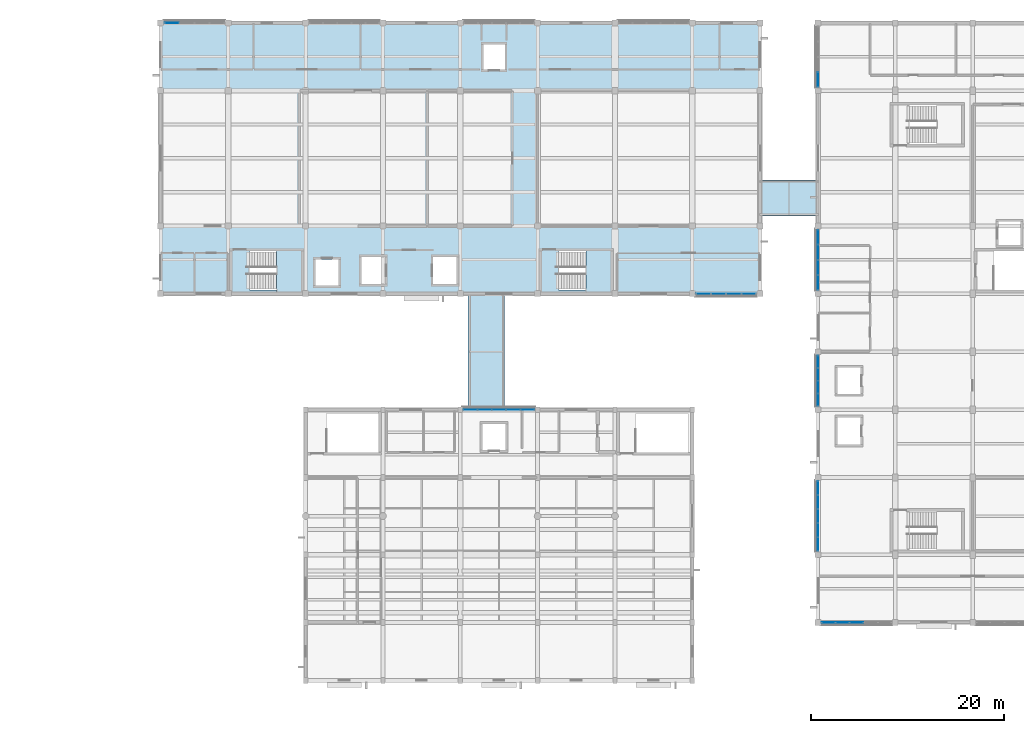
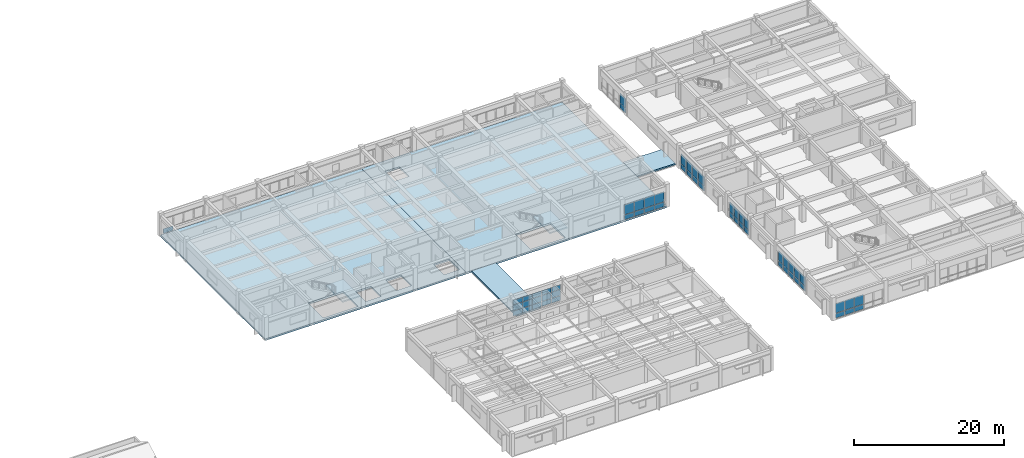
# One storey, part 17 of 33: 58 plates, 6 slabs, 10 elements without a shape of their own.
"""IFC4 building model written with IfcOpenShell, lengths in metres."""

from ifc_helpers import new_model, si_unit, direction, frame, origin, origin_2d, place, context, subcontext, project, spatial, polyline, rectangle, outline, extrude, material, layer, layer_set, type_object, element, aggregate, save


model = new_model("IFC4")

# Units and contexts
model_context = context("Model", 3, precision=1e-05, world=origin(), true_north=direction((0.0, 1.0)))
body_context = subcontext(model_context, "Body", "Model", "MODEL_VIEW")
ifc_project = project(units=[si_unit("LENGTHUNIT", "METRE"), si_unit("AREAUNIT", "SQUARE_METRE"), si_unit("VOLUMEUNIT", "CUBIC_METRE"), si_unit("PLANEANGLEUNIT", "RADIAN"), si_unit("MASSUNIT", "GRAM", prefix="KILO")], contexts=[model_context])

# Site, building, storey
site_placement = place(None, origin())
site = spatial("IfcSite", under=ifc_project, at=site_placement, CompositionType="ELEMENT")
building_placement = place(site_placement, origin())
building = spatial("IfcBuilding", under=site, at=building_placement, Name="Naurynzar Civic Courthouse", CompositionType="ELEMENT")
storey_placement = place(building_placement, frame((0.0, 0.0, 22.050048828125)))
storey = spatial("IfcBuildingStorey", under=building, at=storey_placement, Name="L06", CompositionType="ELEMENT", Elevation=22.050048828125)

# Curtain wall, plate
ifc_material_1 = material(Name="Aluminium 6063-T6", Category="aluminium")
ifc_layer_1 = layer(ifc_material_1, 0.179931640625)
ifc_layer_set_1 = layer_set([ifc_layer_1], Name="CW-UNIT-1500")
curtain_wall_type = type_object("IfcCurtainWallType", Name="CW-UNIT-1500", PredefinedType="NOTDEFINED", material=ifc_layer_set_1)
curtain_wall_1_placement = place(storey_placement, origin())
curtain_wall_1 = element("IfcCurtainWall", 1, at=curtain_wall_1_placement, inside=storey, type_object=curtain_wall_type, Name="V2 unitised curtain wall 43 L06", PredefinedType="NOTDEFINED")
ifc_material_2 = material(Name="Tempered Laminated Low-E Glass", Category="glass")
ifc_layer_2 = layer(ifc_material_2, 0.031982421875)
ifc_layer_set_2 = layer_set([ifc_layer_2], Name="CWP-IGU-32")
plate_type = type_object("IfcPlateType", Name="CWP-IGU-32", PredefinedType="CURTAIN_PANEL", material=ifc_layer_set_2)
plate_1_placement = place(storey_placement, frame((63.161865234375, 72.0, 0.06005859375), z_axis=(0.0, 0.0, 1.0), x_axis=(1.0, 0.0, 0.0)))
plate_1 = element("IfcPlate", 2, at=plate_1_placement, type_object=plate_type, Name="CW-01 panel 1.1", PredefinedType="CURTAIN_PANEL", context=body_context, shape_type="SweptSolid", body=[
    extrude(rectangle(XDim=1.478759765625, YDim=0.031982421875, at=origin_2d()), origin(), (0.0, 0.0, 1.0), 0.760009765625),
])
aggregate(curtain_wall_1, [plate_1])

# Curtain wall, plates
curtain_wall_2_placement = place(storey_placement, origin())
curtain_wall_2 = element("IfcCurtainWall", 3, at=curtain_wall_2_placement, inside=storey, type_object=curtain_wall_type, Name="V2 unitised curtain wall 47 L06", PredefinedType="NOTDEFINED")
plate_2_placement = place(storey_placement, frame((122.838134765625, 44.0, 0.06005859375), z_axis=(0.0, 0.0, 1.0), x_axis=(-1.0, 0.0, 0.0)))
plate_2 = element("IfcPlate", 4, at=plate_2_placement, type_object=plate_type, Name="CW-01 panel 1.1", PredefinedType="CURTAIN_PANEL", context=body_context, shape_type="SweptSolid", body=[
    extrude(rectangle(XDim=1.478759765625, YDim=0.031982421875, at=origin_2d()), origin(), (0.0, 0.0, 1.0), 0.760009765625),
])
plate_3_placement = place(storey_placement, frame((122.838134765625, 44.0, 0.8798828125), z_axis=(0.0, 0.0, 1.0), x_axis=(-1.0, 0.0, 0.0)))
plate_3 = element("IfcPlate", 5, at=plate_3_placement, type_object=plate_type, Name="CW-01 panel 1.2", PredefinedType="CURTAIN_PANEL", context=body_context, shape_type="SweptSolid", body=[
    extrude(rectangle(XDim=1.478759765625, YDim=0.031982421875, at=origin_2d()), origin(), (0.0, 0.0, 1.0), 1.6201171875),
])
plate_4_placement = place(storey_placement, frame((121.284423828125, 44.0, 0.06005859375), z_axis=(0.0, 0.0, 1.0), x_axis=(-1.0, 0.0, 0.0)))
plate_4 = element("IfcPlate", 6, at=plate_4_placement, type_object=plate_type, Name="CW-01 panel 2.1", PredefinedType="CURTAIN_PANEL", context=body_context, shape_type="SweptSolid", body=[
    extrude(rectangle(XDim=1.5087890625, YDim=0.031982421875, at=origin_2d()), origin(), (0.0, 0.0, 1.0), 0.760009765625),
])
plate_5_placement = place(storey_placement, frame((121.284423828125, 44.0, 0.8798828125), z_axis=(0.0, 0.0, 1.0), x_axis=(-1.0, 0.0, 0.0)))
plate_5 = element("IfcPlate", 7, at=plate_5_placement, type_object=plate_type, Name="CW-01 panel 2.2", PredefinedType="CURTAIN_PANEL", context=body_context, shape_type="SweptSolid", body=[
    extrude(rectangle(XDim=1.5087890625, YDim=0.031982421875, at=origin_2d()), origin(), (0.0, 0.0, 1.0), 1.6201171875),
])
plate_6_placement = place(storey_placement, frame((119.715576171875, 44.0, 0.06005859375), z_axis=(0.0, 0.0, 1.0), x_axis=(-1.0, 0.0, 0.0)))
plate_6 = element("IfcPlate", 8, at=plate_6_placement, type_object=plate_type, Name="CW-01 panel 3.1", PredefinedType="CURTAIN_PANEL", context=body_context, shape_type="SweptSolid", body=[
    extrude(rectangle(XDim=1.5087890625, YDim=0.031982421875, at=origin_2d()), origin(), (0.0, 0.0, 1.0), 0.760009765625),
])
plate_7_placement = place(storey_placement, frame((119.715576171875, 44.0, 0.8798828125), z_axis=(0.0, 0.0, 1.0), x_axis=(-1.0, 0.0, 0.0)))
plate_7 = element("IfcPlate", 9, at=plate_7_placement, type_object=plate_type, Name="CW-01 panel 3.2", PredefinedType="CURTAIN_PANEL", context=body_context, shape_type="SweptSolid", body=[
    extrude(rectangle(XDim=1.5087890625, YDim=0.031982421875, at=origin_2d()), origin(), (0.0, 0.0, 1.0), 1.6201171875),
])
plate_8_placement = place(storey_placement, frame((118.161865234375, 44.0, 0.06005859375), z_axis=(0.0, 0.0, 1.0), x_axis=(-1.0, 0.0, 0.0)))
plate_8 = element("IfcPlate", 10, at=plate_8_placement, type_object=plate_type, Name="CW-01 panel 4.1", PredefinedType="CURTAIN_PANEL", context=body_context, shape_type="SweptSolid", body=[
    extrude(rectangle(XDim=1.478759765625, YDim=0.031982421875, at=origin_2d()), origin(), (0.0, 0.0, 1.0), 0.760009765625),
])
plate_9_placement = place(storey_placement, frame((118.161865234375, 44.0, 0.8798828125), z_axis=(0.0, 0.0, 1.0), x_axis=(-1.0, 0.0, 0.0)))
plate_9 = element("IfcPlate", 11, at=plate_9_placement, type_object=plate_type, Name="CW-01 panel 4.2", PredefinedType="CURTAIN_PANEL", context=body_context, shape_type="SweptSolid", body=[
    extrude(rectangle(XDim=1.478759765625, YDim=0.031982421875, at=origin_2d()), origin(), (0.0, 0.0, 1.0), 1.6201171875),
])
aggregate(curtain_wall_2, [plate_2, plate_3, plate_4, plate_5, plate_6, plate_7, plate_8, plate_9])

curtain_wall_3_placement = place(storey_placement, origin())
curtain_wall_3 = element("IfcCurtainWall", 12, at=curtain_wall_3_placement, inside=storey, type_object=curtain_wall_type, Name="V3 unitised curtain wall 73 L06", PredefinedType="NOTDEFINED")
plate_10_placement = place(storey_placement, frame((94.034912109375, 32.0, 0.06005859375), z_axis=(0.0, 0.0, 1.0), x_axis=(1.0, 0.0, 0.0)))
plate_10 = element("IfcPlate", 13, at=plate_10_placement, type_object=plate_type, Name="CW-01 panel 1.1", PredefinedType="CURTAIN_PANEL", context=body_context, shape_type="SweptSolid", body=[
    extrude(rectangle(XDim=1.39990234375, YDim=0.031982421875, at=origin_2d()), origin(), (0.0, 0.0, 1.0), 0.760009765625),
])
plate_11_placement = place(storey_placement, frame((94.034912109375, 32.0, 0.8798828125), z_axis=(0.0, 0.0, 1.0), x_axis=(1.0, 0.0, 0.0)))
plate_11 = element("IfcPlate", 14, at=plate_11_placement, type_object=plate_type, Name="CW-01 panel 1.2", PredefinedType="CURTAIN_PANEL", context=body_context, shape_type="SweptSolid", body=[
    extrude(rectangle(XDim=1.39990234375, YDim=0.031982421875, at=origin_2d()), origin(), (0.0, 0.0, 1.0), 0.949951171875),
])
plate_12_placement = place(storey_placement, frame((94.034912109375, 32.0, 1.89013671875), z_axis=(0.0, 0.0, 1.0), x_axis=(1.0, 0.0, 0.0)))
plate_12 = element("IfcPlate", 15, at=plate_12_placement, type_object=plate_type, Name="CW-01 panel 1.3", PredefinedType="CURTAIN_PANEL", context=body_context, shape_type="SweptSolid", body=[
    extrude(rectangle(XDim=1.39990234375, YDim=0.031982421875, at=origin_2d()), origin(), (0.0, 0.0, 1.0), 0.760009765625),
])
plate_13_placement = place(storey_placement, frame((95.510009765625, 32.0, 0.06005859375), z_axis=(0.0, 0.0, 1.0), x_axis=(1.0, 0.0, 0.0)))
plate_13 = element("IfcPlate", 16, at=plate_13_placement, type_object=plate_type, Name="CW-01 panel 2.1", PredefinedType="CURTAIN_PANEL", context=body_context, shape_type="SweptSolid", body=[
    extrude(rectangle(XDim=1.429931640625, YDim=0.031982421875, at=origin_2d()), origin(), (0.0, 0.0, 1.0), 0.760009765625),
])
plate_14_placement = place(storey_placement, frame((95.510009765625, 32.0, 0.8798828125), z_axis=(0.0, 0.0, 1.0), x_axis=(1.0, 0.0, 0.0)))
plate_14 = element("IfcPlate", 17, at=plate_14_placement, type_object=plate_type, Name="CW-01 panel 2.2", PredefinedType="CURTAIN_PANEL", context=body_context, shape_type="SweptSolid", body=[
    extrude(rectangle(XDim=1.429931640625, YDim=0.031982421875, at=origin_2d()), origin(), (0.0, 0.0, 1.0), 0.949951171875),
])
plate_15_placement = place(storey_placement, frame((95.510009765625, 32.0, 1.89013671875), z_axis=(0.0, 0.0, 1.0), x_axis=(1.0, 0.0, 0.0)))
plate_15 = element("IfcPlate", 18, at=plate_15_placement, type_object=plate_type, Name="CW-01 panel 2.3", PredefinedType="CURTAIN_PANEL", context=body_context, shape_type="SweptSolid", body=[
    extrude(rectangle(XDim=1.429931640625, YDim=0.031982421875, at=origin_2d()), origin(), (0.0, 0.0, 1.0), 0.760009765625),
])
plate_16_placement = place(storey_placement, frame((97.0, 32.0, 0.06005859375), z_axis=(0.0, 0.0, 1.0), x_axis=(1.0, 0.0, 0.0)))
plate_16 = element("IfcPlate", 19, at=plate_16_placement, type_object=plate_type, Name="CW-01 panel 3.1", PredefinedType="CURTAIN_PANEL", context=body_context, shape_type="SweptSolid", body=[
    extrude(rectangle(XDim=1.429931640625, YDim=0.031982421875, at=origin_2d()), origin(), (0.0, 0.0, 1.0), 0.760009765625),
])
plate_17_placement = place(storey_placement, frame((97.0, 32.0, 0.8798828125), z_axis=(0.0, 0.0, 1.0), x_axis=(1.0, 0.0, 0.0)))
plate_17 = element("IfcPlate", 20, at=plate_17_placement, type_object=plate_type, Name="CW-01 panel 3.2", PredefinedType="CURTAIN_PANEL", context=body_context, shape_type="SweptSolid", body=[
    extrude(rectangle(XDim=1.429931640625, YDim=0.031982421875, at=origin_2d()), origin(), (0.0, 0.0, 1.0), 0.949951171875),
])
plate_18_placement = place(storey_placement, frame((97.0, 32.0, 1.89013671875), z_axis=(0.0, 0.0, 1.0), x_axis=(1.0, 0.0, 0.0)))
plate_18 = element("IfcPlate", 21, at=plate_18_placement, type_object=plate_type, Name="CW-01 panel 3.3", PredefinedType="CURTAIN_PANEL", context=body_context, shape_type="SweptSolid", body=[
    extrude(rectangle(XDim=1.429931640625, YDim=0.031982421875, at=origin_2d()), origin(), (0.0, 0.0, 1.0), 0.760009765625),
])
plate_19_placement = place(storey_placement, frame((98.489990234375, 32.0, 0.06005859375), z_axis=(0.0, 0.0, 1.0), x_axis=(1.0, 0.0, 0.0)))
plate_19 = element("IfcPlate", 22, at=plate_19_placement, type_object=plate_type, Name="CW-01 panel 4.1", PredefinedType="CURTAIN_PANEL", context=body_context, shape_type="SweptSolid", body=[
    extrude(rectangle(XDim=1.429931640625, YDim=0.031982421875, at=origin_2d()), origin(), (0.0, 0.0, 1.0), 0.760009765625),
])
plate_20_placement = place(storey_placement, frame((98.489990234375, 32.0, 0.8798828125), z_axis=(0.0, 0.0, 1.0), x_axis=(1.0, 0.0, 0.0)))
plate_20 = element("IfcPlate", 23, at=plate_20_placement, type_object=plate_type, Name="CW-01 panel 4.2", PredefinedType="CURTAIN_PANEL", context=body_context, shape_type="SweptSolid", body=[
    extrude(rectangle(XDim=1.429931640625, YDim=0.031982421875, at=origin_2d()), origin(), (0.0, 0.0, 1.0), 0.949951171875),
])
plate_21_placement = place(storey_placement, frame((98.489990234375, 32.0, 1.89013671875), z_axis=(0.0, 0.0, 1.0), x_axis=(1.0, 0.0, 0.0)))
plate_21 = element("IfcPlate", 24, at=plate_21_placement, type_object=plate_type, Name="CW-01 panel 4.3", PredefinedType="CURTAIN_PANEL", context=body_context, shape_type="SweptSolid", body=[
    extrude(rectangle(XDim=1.429931640625, YDim=0.031982421875, at=origin_2d()), origin(), (0.0, 0.0, 1.0), 0.760009765625),
])
plate_22_placement = place(storey_placement, frame((99.965087890625, 32.0, 0.06005859375), z_axis=(0.0, 0.0, 1.0), x_axis=(1.0, 0.0, 0.0)))
plate_22 = element("IfcPlate", 25, at=plate_22_placement, type_object=plate_type, Name="CW-01 panel 5.1", PredefinedType="CURTAIN_PANEL", context=body_context, shape_type="SweptSolid", body=[
    extrude(rectangle(XDim=1.39990234375, YDim=0.031982421875, at=origin_2d()), origin(), (0.0, 0.0, 1.0), 0.760009765625),
])
plate_23_placement = place(storey_placement, frame((99.965087890625, 32.0, 0.8798828125), z_axis=(0.0, 0.0, 1.0), x_axis=(1.0, 0.0, 0.0)))
plate_23 = element("IfcPlate", 26, at=plate_23_placement, type_object=plate_type, Name="CW-01 panel 5.2", PredefinedType="CURTAIN_PANEL", context=body_context, shape_type="SweptSolid", body=[
    extrude(rectangle(XDim=1.39990234375, YDim=0.031982421875, at=origin_2d()), origin(), (0.0, 0.0, 1.0), 0.949951171875),
])
plate_24_placement = place(storey_placement, frame((99.965087890625, 32.0, 1.89013671875), z_axis=(0.0, 0.0, 1.0), x_axis=(1.0, 0.0, 0.0)))
plate_24 = element("IfcPlate", 27, at=plate_24_placement, type_object=plate_type, Name="CW-01 panel 5.3", PredefinedType="CURTAIN_PANEL", context=body_context, shape_type="SweptSolid", body=[
    extrude(rectangle(XDim=1.39990234375, YDim=0.031982421875, at=origin_2d()), origin(), (0.0, 0.0, 1.0), 0.760009765625),
])
aggregate(curtain_wall_3, [plate_10, plate_11, plate_12, plate_13, plate_14, plate_15, plate_16, plate_17, plate_18, plate_19, plate_20, plate_21, plate_22, plate_23, plate_24])

curtain_wall_4_placement = place(storey_placement, origin())
curtain_wall_4 = element("IfcCurtainWall", 28, at=curtain_wall_4_placement, inside=storey, type_object=curtain_wall_type, Name="V5 unitised curtain wall 106 L06", PredefinedType="NOTDEFINED")
plate_25_placement = place(storey_placement, frame((130.0, 18.094970703125, 0.06005859375), z_axis=(0.0, 0.0, 1.0), x_axis=(0.0, 1.0, 0.0)))
plate_25 = element("IfcPlate", 29, at=plate_25_placement, type_object=plate_type, Name="CW-01 panel 1.1", PredefinedType="CURTAIN_PANEL", context=body_context, shape_type="SweptSolid", body=[
    extrude(rectangle(XDim=1.3701171875, YDim=0.031982421875, at=origin_2d()), origin(), (0.0, 0.0, 1.0), 0.760009765625),
])
plate_26_placement = place(storey_placement, frame((130.0, 18.094970703125, 0.8798828125), z_axis=(0.0, 0.0, 1.0), x_axis=(0.0, 1.0, 0.0)))
plate_26 = element("IfcPlate", 30, at=plate_26_placement, type_object=plate_type, Name="CW-01 panel 1.2", PredefinedType="CURTAIN_PANEL", context=body_context, shape_type="SweptSolid", body=[
    extrude(rectangle(XDim=1.3701171875, YDim=0.031982421875, at=origin_2d()), origin(), (0.0, 0.0, 1.0), 1.570068359375),
])
plate_27_placement = place(storey_placement, frame((130.0, 19.5400390625, 0.06005859375), z_axis=(0.0, 0.0, 1.0), x_axis=(0.0, 1.0, 0.0)))
plate_27 = element("IfcPlate", 31, at=plate_27_placement, type_object=plate_type, Name="CW-01 panel 2.1", PredefinedType="CURTAIN_PANEL", context=body_context, shape_type="SweptSolid", body=[
    extrude(rectangle(XDim=1.39990234375, YDim=0.031982421875, at=origin_2d()), origin(), (0.0, 0.0, 1.0), 0.760009765625),
])
plate_28_placement = place(storey_placement, frame((130.0, 19.5400390625, 0.8798828125), z_axis=(0.0, 0.0, 1.0), x_axis=(0.0, 1.0, 0.0)))
plate_28 = element("IfcPlate", 32, at=plate_28_placement, type_object=plate_type, Name="CW-01 panel 2.2", PredefinedType="CURTAIN_PANEL", context=body_context, shape_type="SweptSolid", body=[
    extrude(rectangle(XDim=1.39990234375, YDim=0.031982421875, at=origin_2d()), origin(), (0.0, 0.0, 1.0), 1.570068359375),
])
plate_29_placement = place(storey_placement, frame((130.0, 21.0, 0.06005859375), z_axis=(0.0, 0.0, 1.0), x_axis=(0.0, 1.0, 0.0)))
plate_29 = element("IfcPlate", 33, at=plate_29_placement, type_object=plate_type, Name="CW-01 panel 3.1", PredefinedType="CURTAIN_PANEL", context=body_context, shape_type="SweptSolid", body=[
    extrude(rectangle(XDim=1.39990234375, YDim=0.031982421875, at=origin_2d()), origin(), (0.0, 0.0, 1.0), 0.760009765625),
])
plate_30_placement = place(storey_placement, frame((130.0, 21.0, 0.8798828125), z_axis=(0.0, 0.0, 1.0), x_axis=(0.0, 1.0, 0.0)))
plate_30 = element("IfcPlate", 34, at=plate_30_placement, type_object=plate_type, Name="CW-01 panel 3.2", PredefinedType="CURTAIN_PANEL", context=body_context, shape_type="SweptSolid", body=[
    extrude(rectangle(XDim=1.39990234375, YDim=0.031982421875, at=origin_2d()), origin(), (0.0, 0.0, 1.0), 1.570068359375),
])
plate_31_placement = place(storey_placement, frame((130.0, 22.4599609375, 0.06005859375), z_axis=(0.0, 0.0, 1.0), x_axis=(0.0, 1.0, 0.0)))
plate_31 = element("IfcPlate", 35, at=plate_31_placement, type_object=plate_type, Name="CW-01 panel 4.1", PredefinedType="CURTAIN_PANEL", context=body_context, shape_type="SweptSolid", body=[
    extrude(rectangle(XDim=1.39990234375, YDim=0.031982421875, at=origin_2d()), origin(), (0.0, 0.0, 1.0), 0.760009765625),
])
plate_32_placement = place(storey_placement, frame((130.0, 22.4599609375, 0.8798828125), z_axis=(0.0, 0.0, 1.0), x_axis=(0.0, 1.0, 0.0)))
plate_32 = element("IfcPlate", 36, at=plate_32_placement, type_object=plate_type, Name="CW-01 panel 4.2", PredefinedType="CURTAIN_PANEL", context=body_context, shape_type="SweptSolid", body=[
    extrude(rectangle(XDim=1.39990234375, YDim=0.031982421875, at=origin_2d()), origin(), (0.0, 0.0, 1.0), 1.570068359375),
])
plate_33_placement = place(storey_placement, frame((130.0, 23.905029296875, 0.06005859375), z_axis=(0.0, 0.0, 1.0), x_axis=(0.0, 1.0, 0.0)))
plate_33 = element("IfcPlate", 37, at=plate_33_placement, type_object=plate_type, Name="CW-01 panel 5.1", PredefinedType="CURTAIN_PANEL", context=body_context, shape_type="SweptSolid", body=[
    extrude(rectangle(XDim=1.3701171875, YDim=0.031982421875, at=origin_2d()), origin(), (0.0, 0.0, 1.0), 0.760009765625),
])
plate_34_placement = place(storey_placement, frame((130.0, 23.905029296875, 0.8798828125), z_axis=(0.0, 0.0, 1.0), x_axis=(0.0, 1.0, 0.0)))
plate_34 = element("IfcPlate", 38, at=plate_34_placement, type_object=plate_type, Name="CW-01 panel 5.2", PredefinedType="CURTAIN_PANEL", context=body_context, shape_type="SweptSolid", body=[
    extrude(rectangle(XDim=1.3701171875, YDim=0.031982421875, at=origin_2d()), origin(), (0.0, 0.0, 1.0), 1.570068359375),
])
aggregate(curtain_wall_4, [plate_25, plate_26, plate_27, plate_28, plate_29, plate_30, plate_31, plate_32, plate_33, plate_34])

curtain_wall_5_placement = place(storey_placement, origin())
curtain_wall_5 = element("IfcCurtainWall", 39, at=curtain_wall_5_placement, inside=storey, type_object=curtain_wall_type, Name="V5 unitised curtain wall 107 L06", PredefinedType="NOTDEFINED")
plate_35_placement = place(storey_placement, frame((130.0, 33.027587890625, 0.06005859375), z_axis=(0.0, 0.0, 1.0), x_axis=(0.0, 1.0, 0.0)))
plate_35 = element("IfcPlate", 40, at=plate_35_placement, type_object=plate_type, Name="CW-01 panel 1.1", PredefinedType="CURTAIN_PANEL", context=body_context, shape_type="SweptSolid", body=[
    extrude(rectangle(XDim=1.235107421875, YDim=0.031982421875, at=origin_2d()), origin(), (0.0, 0.0, 1.0), 0.760009765625),
])
plate_36_placement = place(storey_placement, frame((130.0, 33.027587890625, 0.8798828125), z_axis=(0.0, 0.0, 1.0), x_axis=(0.0, 1.0, 0.0)))
plate_36 = element("IfcPlate", 41, at=plate_36_placement, type_object=plate_type, Name="CW-01 panel 1.2", PredefinedType="CURTAIN_PANEL", context=body_context, shape_type="SweptSolid", body=[
    extrude(rectangle(XDim=1.235107421875, YDim=0.031982421875, at=origin_2d()), origin(), (0.0, 0.0, 1.0), 1.570068359375),
])
plate_37_placement = place(storey_placement, frame((130.0, 34.33740234375, 0.06005859375), z_axis=(0.0, 0.0, 1.0), x_axis=(0.0, 1.0, 0.0)))
plate_37 = element("IfcPlate", 42, at=plate_37_placement, type_object=plate_type, Name="CW-01 panel 2.1", PredefinedType="CURTAIN_PANEL", context=body_context, shape_type="SweptSolid", body=[
    extrude(rectangle(XDim=1.264892578125, YDim=0.031982421875, at=origin_2d()), origin(), (0.0, 0.0, 1.0), 0.760009765625),
])
plate_38_placement = place(storey_placement, frame((130.0, 34.33740234375, 0.8798828125), z_axis=(0.0, 0.0, 1.0), x_axis=(0.0, 1.0, 0.0)))
plate_38 = element("IfcPlate", 43, at=plate_38_placement, type_object=plate_type, Name="CW-01 panel 2.2", PredefinedType="CURTAIN_PANEL", context=body_context, shape_type="SweptSolid", body=[
    extrude(rectangle(XDim=1.264892578125, YDim=0.031982421875, at=origin_2d()), origin(), (0.0, 0.0, 1.0), 1.570068359375),
])
plate_39_placement = place(storey_placement, frame((130.0, 35.66259765625, 0.06005859375), z_axis=(0.0, 0.0, 1.0), x_axis=(0.0, 1.0, 0.0)))
plate_39 = element("IfcPlate", 44, at=plate_39_placement, type_object=plate_type, Name="CW-01 panel 3.1", PredefinedType="CURTAIN_PANEL", context=body_context, shape_type="SweptSolid", body=[
    extrude(rectangle(XDim=1.264892578125, YDim=0.031982421875, at=origin_2d()), origin(), (0.0, 0.0, 1.0), 0.760009765625),
])
plate_40_placement = place(storey_placement, frame((130.0, 35.66259765625, 0.8798828125), z_axis=(0.0, 0.0, 1.0), x_axis=(0.0, 1.0, 0.0)))
plate_40 = element("IfcPlate", 45, at=plate_40_placement, type_object=plate_type, Name="CW-01 panel 3.2", PredefinedType="CURTAIN_PANEL", context=body_context, shape_type="SweptSolid", body=[
    extrude(rectangle(XDim=1.264892578125, YDim=0.031982421875, at=origin_2d()), origin(), (0.0, 0.0, 1.0), 1.570068359375),
])
plate_41_placement = place(storey_placement, frame((130.0, 36.972412109375, 0.06005859375), z_axis=(0.0, 0.0, 1.0), x_axis=(0.0, 1.0, 0.0)))
plate_41 = element("IfcPlate", 46, at=plate_41_placement, type_object=plate_type, Name="CW-01 panel 4.1", PredefinedType="CURTAIN_PANEL", context=body_context, shape_type="SweptSolid", body=[
    extrude(rectangle(XDim=1.235107421875, YDim=0.031982421875, at=origin_2d()), origin(), (0.0, 0.0, 1.0), 0.760009765625),
])
plate_42_placement = place(storey_placement, frame((130.0, 36.972412109375, 0.8798828125), z_axis=(0.0, 0.0, 1.0), x_axis=(0.0, 1.0, 0.0)))
plate_42 = element("IfcPlate", 47, at=plate_42_placement, type_object=plate_type, Name="CW-01 panel 4.2", PredefinedType="CURTAIN_PANEL", context=body_context, shape_type="SweptSolid", body=[
    extrude(rectangle(XDim=1.235107421875, YDim=0.031982421875, at=origin_2d()), origin(), (0.0, 0.0, 1.0), 1.570068359375),
])
aggregate(curtain_wall_5, [plate_35, plate_36, plate_37, plate_38, plate_39, plate_40, plate_41, plate_42])

curtain_wall_6_placement = place(storey_placement, origin())
curtain_wall_6 = element("IfcCurtainWall", 48, at=curtain_wall_6_placement, inside=storey, type_object=curtain_wall_type, Name="V5 unitised curtain wall 108 L06", PredefinedType="NOTDEFINED")
plate_43_placement = place(storey_placement, frame((130.0, 45.152587890625, 0.06005859375), z_axis=(0.0, 0.0, 1.0), x_axis=(0.0, 1.0, 0.0)))
plate_43 = element("IfcPlate", 49, at=plate_43_placement, type_object=plate_type, Name="CW-01 panel 1.1", PredefinedType="CURTAIN_PANEL", context=body_context, shape_type="SweptSolid", body=[
    extrude(rectangle(XDim=1.485107421875, YDim=0.031982421875, at=origin_2d()), origin(), (0.0, 0.0, 1.0), 0.760009765625),
])
plate_44_placement = place(storey_placement, frame((130.0, 45.152587890625, 0.8798828125), z_axis=(0.0, 0.0, 1.0), x_axis=(0.0, 1.0, 0.0)))
plate_44 = element("IfcPlate", 50, at=plate_44_placement, type_object=plate_type, Name="CW-01 panel 1.2", PredefinedType="CURTAIN_PANEL", context=body_context, shape_type="SweptSolid", body=[
    extrude(rectangle(XDim=1.485107421875, YDim=0.031982421875, at=origin_2d()), origin(), (0.0, 0.0, 1.0), 1.570068359375),
])
plate_45_placement = place(storey_placement, frame((130.0, 46.71240234375, 0.06005859375), z_axis=(0.0, 0.0, 1.0), x_axis=(0.0, 1.0, 0.0)))
plate_45 = element("IfcPlate", 51, at=plate_45_placement, type_object=plate_type, Name="CW-01 panel 2.1", PredefinedType="CURTAIN_PANEL", context=body_context, shape_type="SweptSolid", body=[
    extrude(rectangle(XDim=1.514892578125, YDim=0.031982421875, at=origin_2d()), origin(), (0.0, 0.0, 1.0), 0.760009765625),
])
plate_46_placement = place(storey_placement, frame((130.0, 46.71240234375, 0.8798828125), z_axis=(0.0, 0.0, 1.0), x_axis=(0.0, 1.0, 0.0)))
plate_46 = element("IfcPlate", 52, at=plate_46_placement, type_object=plate_type, Name="CW-01 panel 2.2", PredefinedType="CURTAIN_PANEL", context=body_context, shape_type="SweptSolid", body=[
    extrude(rectangle(XDim=1.514892578125, YDim=0.031982421875, at=origin_2d()), origin(), (0.0, 0.0, 1.0), 1.570068359375),
])
plate_47_placement = place(storey_placement, frame((130.0, 48.28759765625, 0.06005859375), z_axis=(0.0, 0.0, 1.0), x_axis=(0.0, 1.0, 0.0)))
plate_47 = element("IfcPlate", 53, at=plate_47_placement, type_object=plate_type, Name="CW-01 panel 3.1", PredefinedType="CURTAIN_PANEL", context=body_context, shape_type="SweptSolid", body=[
    extrude(rectangle(XDim=1.514892578125, YDim=0.031982421875, at=origin_2d()), origin(), (0.0, 0.0, 1.0), 0.760009765625),
])
plate_48_placement = place(storey_placement, frame((130.0, 48.28759765625, 0.8798828125), z_axis=(0.0, 0.0, 1.0), x_axis=(0.0, 1.0, 0.0)))
plate_48 = element("IfcPlate", 54, at=plate_48_placement, type_object=plate_type, Name="CW-01 panel 3.2", PredefinedType="CURTAIN_PANEL", context=body_context, shape_type="SweptSolid", body=[
    extrude(rectangle(XDim=1.514892578125, YDim=0.031982421875, at=origin_2d()), origin(), (0.0, 0.0, 1.0), 1.570068359375),
])
plate_49_placement = place(storey_placement, frame((130.0, 49.847412109375, 0.06005859375), z_axis=(0.0, 0.0, 1.0), x_axis=(0.0, 1.0, 0.0)))
plate_49 = element("IfcPlate", 55, at=plate_49_placement, type_object=plate_type, Name="CW-01 panel 4.1", PredefinedType="CURTAIN_PANEL", context=body_context, shape_type="SweptSolid", body=[
    extrude(rectangle(XDim=1.485107421875, YDim=0.031982421875, at=origin_2d()), origin(), (0.0, 0.0, 1.0), 0.760009765625),
])
plate_50_placement = place(storey_placement, frame((130.0, 49.847412109375, 0.8798828125), z_axis=(0.0, 0.0, 1.0), x_axis=(0.0, 1.0, 0.0)))
plate_50 = element("IfcPlate", 56, at=plate_50_placement, type_object=plate_type, Name="CW-01 panel 4.2", PredefinedType="CURTAIN_PANEL", context=body_context, shape_type="SweptSolid", body=[
    extrude(rectangle(XDim=1.485107421875, YDim=0.031982421875, at=origin_2d()), origin(), (0.0, 0.0, 1.0), 1.570068359375),
])
aggregate(curtain_wall_6, [plate_43, plate_44, plate_45, plate_46, plate_47, plate_48, plate_49, plate_50])

curtain_wall_7_placement = place(storey_placement, origin())
curtain_wall_7 = element("IfcCurtainWall", 57, at=curtain_wall_7_placement, inside=storey, type_object=curtain_wall_type, Name="V5 unitised curtain wall 109 L06", PredefinedType="NOTDEFINED")
plate_51_placement = place(storey_placement, frame((130.0, 66.152587890625, 0.06005859375), z_axis=(0.0, 0.0, 1.0), x_axis=(0.0, 1.0, 0.0)))
plate_51 = element("IfcPlate", 58, at=plate_51_placement, type_object=plate_type, Name="CW-01 panel 1.1", PredefinedType="CURTAIN_PANEL", context=body_context, shape_type="SweptSolid", body=[
    extrude(rectangle(XDim=1.485107421875, YDim=0.031982421875, at=origin_2d()), origin(), (0.0, 0.0, 1.0), 0.760009765625),
])
plate_52_placement = place(storey_placement, frame((130.0, 66.152587890625, 0.8798828125), z_axis=(0.0, 0.0, 1.0), x_axis=(0.0, 1.0, 0.0)))
plate_52 = element("IfcPlate", 59, at=plate_52_placement, type_object=plate_type, Name="CW-01 panel 1.2", PredefinedType="CURTAIN_PANEL", context=body_context, shape_type="SweptSolid", body=[
    extrude(rectangle(XDim=1.485107421875, YDim=0.031982421875, at=origin_2d()), origin(), (0.0, 0.0, 1.0), 1.570068359375),
])
aggregate(curtain_wall_7, [plate_51, plate_52])

curtain_wall_8_placement = place(storey_placement, origin())
curtain_wall_8 = element("IfcCurtainWall", 60, at=curtain_wall_8_placement, inside=storey, type_object=curtain_wall_type, Name="V5 unitised curtain wall 111 L06", PredefinedType="NOTDEFINED")
plate_53_placement = place(storey_placement, frame((134.0, 10.0, 0.06005859375), z_axis=(0.0, 0.0, 1.0), x_axis=(-1.0, 0.0, 0.0)))
plate_53 = element("IfcPlate", 61, at=plate_53_placement, type_object=plate_type, Name="CW-01 panel 3.1", PredefinedType="CURTAIN_PANEL", context=body_context, shape_type="SweptSolid", body=[
    extrude(rectangle(XDim=1.39990234375, YDim=0.031982421875, at=origin_2d()), origin(), (0.0, 0.0, 1.0), 0.760009765625),
])
plate_54_placement = place(storey_placement, frame((134.0, 10.0, 0.8798828125), z_axis=(0.0, 0.0, 1.0), x_axis=(-1.0, 0.0, 0.0)))
plate_54 = element("IfcPlate", 62, at=plate_54_placement, type_object=plate_type, Name="CW-01 panel 3.2", PredefinedType="CURTAIN_PANEL", context=body_context, shape_type="SweptSolid", body=[
    extrude(rectangle(XDim=1.39990234375, YDim=0.031982421875, at=origin_2d()), origin(), (0.0, 0.0, 1.0), 1.570068359375),
])
plate_55_placement = place(storey_placement, frame((132.5400390625, 10.0, 0.06005859375), z_axis=(0.0, 0.0, 1.0), x_axis=(-1.0, 0.0, 0.0)))
plate_55 = element("IfcPlate", 63, at=plate_55_placement, type_object=plate_type, Name="CW-01 panel 4.1", PredefinedType="CURTAIN_PANEL", context=body_context, shape_type="SweptSolid", body=[
    extrude(rectangle(XDim=1.39990234375, YDim=0.031982421875, at=origin_2d()), origin(), (0.0, 0.0, 1.0), 0.760009765625),
])
plate_56_placement = place(storey_placement, frame((132.5400390625, 10.0, 0.8798828125), z_axis=(0.0, 0.0, 1.0), x_axis=(-1.0, 0.0, 0.0)))
plate_56 = element("IfcPlate", 64, at=plate_56_placement, type_object=plate_type, Name="CW-01 panel 4.2", PredefinedType="CURTAIN_PANEL", context=body_context, shape_type="SweptSolid", body=[
    extrude(rectangle(XDim=1.39990234375, YDim=0.031982421875, at=origin_2d()), origin(), (0.0, 0.0, 1.0), 1.570068359375),
])
plate_57_placement = place(storey_placement, frame((131.094970703125, 10.0, 0.06005859375), z_axis=(0.0, 0.0, 1.0), x_axis=(-1.0, 0.0, 0.0)))
plate_57 = element("IfcPlate", 65, at=plate_57_placement, type_object=plate_type, Name="CW-01 panel 5.1", PredefinedType="CURTAIN_PANEL", context=body_context, shape_type="SweptSolid", body=[
    extrude(rectangle(XDim=1.3701171875, YDim=0.031982421875, at=origin_2d()), origin(), (0.0, 0.0, 1.0), 0.760009765625),
])
plate_58_placement = place(storey_placement, frame((131.094970703125, 10.0, 0.8798828125), z_axis=(0.0, 0.0, 1.0), x_axis=(-1.0, 0.0, 0.0)))
plate_58 = element("IfcPlate", 66, at=plate_58_placement, type_object=plate_type, Name="CW-01 panel 5.2", PredefinedType="CURTAIN_PANEL", context=body_context, shape_type="SweptSolid", body=[
    extrude(rectangle(XDim=1.3701171875, YDim=0.031982421875, at=origin_2d()), origin(), (0.0, 0.0, 1.0), 1.570068359375),
])
aggregate(curtain_wall_8, [plate_53, plate_54, plate_55, plate_56, plate_57, plate_58])

# Slabs
ifc_material_3 = material(Name="Concrete C40/50", Category="concrete")
ifc_layer_3 = layer(ifc_material_3, 0.22998046875)
ifc_layer_set_3 = layer_set([ifc_layer_3], Name="ROOF-CRWN-230")
slab_type_1 = type_object("IfcSlabType", Name="ROOF-CRWN-230", PredefinedType="ROOF", material=ifc_layer_set_3)
slab_1_placement = place(storey_placement, frame((0.0, 0.0, -0.22998046875)))
element("IfcSlab", 67, at=slab_1_placement, inside=storey, type_object=slab_type_1, Name="Central Library Seismic Link Passage roof slab", PredefinedType="ROOF", context=body_context, shape_type="SweptSolid", body=[
    extrude(outline(polyline([(93.820068359375, 32.02001953125), (97.580078125, 32.02001953125), (97.580078125, 43.97998046875), (93.820068359375, 43.97998046875), (93.820068359375, 32.02001953125)])), origin(), (0.0, 0.0, 1.0), 0.22998046875),
])
slab_2_placement = place(storey_placement, frame((0.0, 0.0, -0.22998046875)))
element("IfcSlab", 68, at=slab_2_placement, inside=storey, type_object=slab_type_1, Name="East Judicial Seismic Link Passage roof slab", PredefinedType="ROOF", context=body_context, shape_type="SweptSolid", body=[
    extrude(outline(polyline([(124.02001953125, 52.02001953125), (129.97998046875, 52.02001953125), (129.97998046875, 55.780029296875), (124.02001953125, 55.780029296875), (124.02001953125, 52.02001953125)])), origin(), (0.0, 0.0, 1.0), 0.22998046875),
])

# Stair, slab
ifc_material_4 = material(Name="Concrete C35/45", Category="concrete")
stair_type = type_object("IfcStairType", Name="STAIR-CORE-1600", PredefinedType="TWO_STRAIGHT_RUN_STAIR", material=ifc_material_4)
stair_1_placement = place(storey_placement, origin())
stair_1 = element("IfcStair", 69, at=stair_1_placement, inside=storey, type_object=stair_type, Name="Enclosed escape stair ST-V2A L06", PredefinedType="TWO_STRAIGHT_RUN_STAIR")
ifc_material_5 = material(Name="Concrete C35/45", Category="concrete")
ifc_layer_4 = layer(ifc_material_5, 0.199951171875)
ifc_layer_set_4 = layer_set([ifc_layer_4], Name="SLB-LAND-200")
slab_type_2 = type_object("IfcSlabType", Name="SLB-LAND-200", PredefinedType="LANDING", material=ifc_layer_set_4)
slab_3_placement = place(storey_placement, frame((0.0, 0.0, 1.675048828125)))
slab_3 = element("IfcSlab", 70, at=slab_3_placement, type_object=slab_type_2, Name="ST-V2A-L06 landing 1", PredefinedType="LANDING", context=body_context, shape_type="SweptSolid", body=[
    extrude(outline(polyline([(73.97998046875, 44.080078125), (76.669921875, 44.080078125), (76.669921875, 48.52001953125), (73.97998046875, 48.52001953125), (73.97998046875, 44.080078125)])), origin(), (0.0, 0.0, 1.0), 0.199951171875),
])
aggregate(stair_1, [slab_3])

stair_2_placement = place(storey_placement, origin())
stair_2 = element("IfcStair", 71, at=stair_2_placement, inside=storey, type_object=stair_type, Name="Enclosed escape stair ST-V2B L06", PredefinedType="TWO_STRAIGHT_RUN_STAIR")
slab_4_placement = place(storey_placement, frame((0.0, 0.0, 1.675048828125)))
slab_4 = element("IfcSlab", 72, at=slab_4_placement, type_object=slab_type_2, Name="ST-V2B-L06 landing 1", PredefinedType="LANDING", context=body_context, shape_type="SweptSolid", body=[
    extrude(outline(polyline([(105.97998046875, 44.080078125), (108.669921875, 44.080078125), (108.669921875, 48.52001953125), (105.97998046875, 48.52001953125), (105.97998046875, 44.080078125)])), origin(), (0.0, 0.0, 1.0), 0.199951171875),
])
aggregate(stair_2, [slab_4])

# Slabs
ifc_material_6 = material(Name="Concrete C35/45", Category="concrete")
ifc_layer_5 = layer(ifc_material_6, 0.280029296875)
ifc_layer_set_5 = layer_set([ifc_layer_5], Name="SLB-PT-280")
slab_type_3 = type_object("IfcSlabType", Name="SLB-PT-280", PredefinedType="FLOOR", material=ifc_layer_set_5)
slab_5_placement = place(storey_placement, frame((0.0, 0.0, -0.280029296875)))
element("IfcSlab", 73, at=slab_5_placement, inside=storey, type_object=slab_type_3, Name="V2 floor slab L06 W", PredefinedType="FLOOR", context=body_context, shape_type="SweptSolid", body=[
    extrude(outline(polyline([(93.0, 44.0), (93.0, 72.0), (62.0, 72.0), (62.0, 44.0), (93.0, 44.0)]), holes=[polyline([(71.179931640625, 44.39990234375), (76.550048828125, 44.39990234375), (76.550048828125, 48.39990234375), (71.179931640625, 48.39990234375), (71.179931640625, 44.39990234375)]), polyline([(78.0, 44.85009765625), (80.39990234375, 44.85009765625), (80.39990234375, 47.550048828125), (78.0, 47.550048828125), (78.0, 44.85009765625)]), polyline([(82.800048828125, 45.0), (85.199951171875, 45.0), (85.199951171875, 47.800048828125), (82.800048828125, 47.800048828125), (82.800048828125, 45.0)]), polyline([(90.199951171875, 45.0), (92.60009765625, 45.0), (92.60009765625, 47.800048828125), (90.199951171875, 47.800048828125), (90.199951171875, 45.0)])]), origin(), (0.0, 0.0, 1.0), 0.280029296875),
])
slab_6_placement = place(storey_placement, frame((0.0, 0.0, -0.280029296875)))
element("IfcSlab", 74, at=slab_6_placement, inside=storey, type_object=slab_type_3, Name="V2 floor slab L06 E", PredefinedType="FLOOR", context=body_context, shape_type="SweptSolid", body=[
    extrude(outline(polyline([(124.0, 44.0), (124.0, 72.0), (93.0, 72.0), (93.0, 44.0), (124.0, 44.0)]), holes=[polyline([(103.179931640625, 44.39990234375), (108.550048828125, 44.39990234375), (108.550048828125, 48.39990234375), (103.179931640625, 48.39990234375), (103.179931640625, 44.39990234375)]), polyline([(95.39990234375, 67.199951171875), (97.60009765625, 67.199951171875), (97.60009765625, 69.800048828125), (95.39990234375, 69.800048828125), (95.39990234375, 67.199951171875)])]), origin(), (0.0, 0.0, 1.0), 0.280029296875),
])

save(model, "model.ifc")
